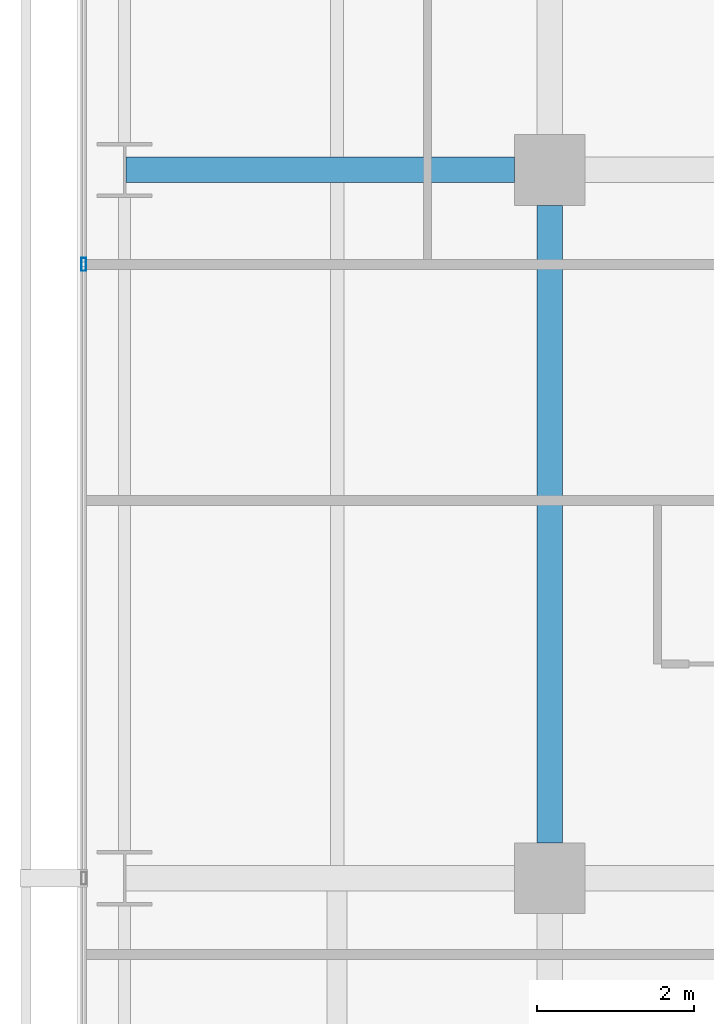
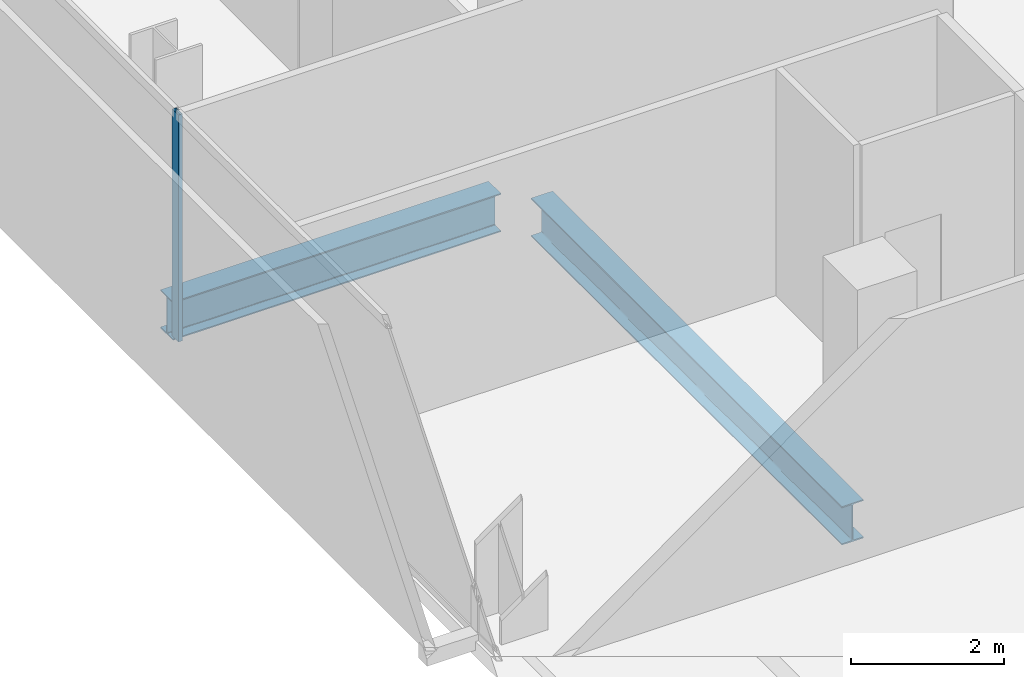
# One storey, part 21 of 40: 2 beams, 1 member, 1 element without a shape of its own.
"""IFC4 building model written with IfcOpenShell, lengths in metres."""

from ifc_helpers import new_model, si_unit, direction, frame, origin, origin_2d, place, context, subcontext, project, spatial, hollow_rectangle, i_section, extrude, material, layer, layer_set, material_profile, profile_set, type_object, element, aggregate, save


model = new_model("IFC4")

# Units and contexts
model_context = context("Model", 3, precision=1e-05, world=origin(), true_north=direction((0.0, 1.0)))
body_context = subcontext(model_context, "Body", "Model", "MODEL_VIEW")
ifc_project = project(units=[si_unit("LENGTHUNIT", "METRE"), si_unit("AREAUNIT", "SQUARE_METRE"), si_unit("VOLUMEUNIT", "CUBIC_METRE"), si_unit("PLANEANGLEUNIT", "RADIAN"), si_unit("MASSUNIT", "GRAM", prefix="KILO")], contexts=[model_context])

# Site, building, storey
site_placement = place(None, origin())
site = spatial("IfcSite", under=ifc_project, at=site_placement, CompositionType="ELEMENT")
building_placement = place(site_placement, origin())
building = spatial("IfcBuilding", under=site, at=building_placement, Name="Maruvema Waterfront Hotel and Observation Tower", CompositionType="ELEMENT")
storey_placement = place(building_placement, frame((0.0, 0.0, 88.550048828125)))
storey = spatial("IfcBuildingStorey", under=building, at=storey_placement, Name="L21", CompositionType="ELEMENT", Elevation=88.550048828125)

# Curtain wall, member
ifc_material_1 = material(Name="Anodised bronze aluminium and solar-control low-E IGU", Category="aluminium")
ifc_layer = layer(ifc_material_1, 0.159912109375, Name="Zone 1 Bronze Inner Thermal Curtain Wall System CW-02")
ifc_layer_set = layer_set([ifc_layer], Name="Anodised bronze aluminium and solar-control low-E IGU")
curtain_wall_type = type_object("IfcCurtainWallType", Name="Zone 1 Bronze Inner Thermal Curtain Wall System CW-02", PredefinedType="USERDEFINED", material=ifc_layer_set)
curtain_wall_placement = place(storey_placement, origin())
curtain_wall = element("IfcCurtainWall", 1, at=curtain_wall_placement, inside=storey, type_object=curtain_wall_type, Name="L21 Curtain Wall CW-L21-W", ObjectType="UNITISED CURTAIN WALL", PredefinedType="USERDEFINED")
ifc_material_2 = material(Name="Anodised architectural bronze aluminium", Category="aluminium")
ifc_material_profile_1 = material_profile(ifc_material_2, hollow_rectangle(XDim=0.06494140625, YDim=0.1650390625, WallThickness=0.00390625, at=origin_2d()), Name="ALU-M65x165")
ifc_profile_set_1 = profile_set([ifc_material_profile_1], Name="Anodised architectural bronze aluminium")
member_type = type_object("IfcMemberType", Name="Curtain Wall Primary Mullion ALU-M65x165", PredefinedType="MULLION", material=ifc_profile_set_1)
member_placement = place(storey_placement, frame((10.8798828125, 34.800048828125, 0.0), z_axis=(0.0, 0.0, 1.0), x_axis=(1.0, 0.0, 0.0)))
member = element("IfcMember", 2, at=member_placement, type_object=member_type, Name="CW-02 mullion 3", PredefinedType="MULLION", context=body_context, shape_type="SweptSolid", body=[
    extrude(hollow_rectangle(XDim=0.06494140625, YDim=0.1650390625, WallThickness=0.00390625, at=origin_2d()), origin(), (0.0, 0.0, 1.0), 3.60986328125),
])
aggregate(curtain_wall, [member])

# Beams
ifc_material_3 = material(Name="Steel ASTM A572 Grade 50", Category="steel")
ifc_material_profile_2 = material_profile(ifc_material_3, i_section(OverallWidth=0.323974609375, OverallDepth=0.611083984375, WebThickness=0.0126953125, FlangeThickness=0.01904296875, FilletRadius=0.01806640625, at=origin_2d()), Name="W610x155.0")
ifc_profile_set_2 = profile_set([ifc_material_profile_2], Name="Steel ASTM A572 Grade 50")
beam_type = type_object("IfcBeamType", Name="Primary Floor Girder W610x155.0", PredefinedType="BEAM", material=ifc_profile_set_2)
beam_1_placement = place(storey_placement, frame((11.4140625, 36.0, -0.545654296875), z_axis=(1.0, 0.0, 0.0), x_axis=(0.0, 1.0, 0.0)))
element("IfcBeam", 3, at=beam_1_placement, inside=storey, type_object=beam_type, Name="L21 Floor Girder EW-25", PredefinedType="BEAM", context=body_context, shape_type="SweptSolid", body=[
    extrude(i_section(OverallWidth=0.323974609375, OverallDepth=0.611083984375, WebThickness=0.0126953125, FlangeThickness=0.01904296875, FilletRadius=0.01806640625, at=origin_2d()), origin(), (0.0, 0.0, 1.0), 4.93603515625),
])
beam_2_placement = place(storey_placement, frame((16.800048828125, 27.449951171875, -0.545654296875), z_axis=(0.0, 1.0, 0.0), x_axis=(-1.0, 0.0, 0.0)))
element("IfcBeam", 4, at=beam_2_placement, inside=storey, type_object=beam_type, Name="L21 Floor Girder NS-08", PredefinedType="BEAM", context=body_context, shape_type="SweptSolid", body=[
    extrude(i_section(OverallWidth=0.323974609375, OverallDepth=0.611083984375, WebThickness=0.0126953125, FlangeThickness=0.01904296875, FilletRadius=0.01806640625, at=origin_2d()), origin(), (0.0, 0.0, 1.0), 8.10009765625),
])

save(model, "model.ifc")
